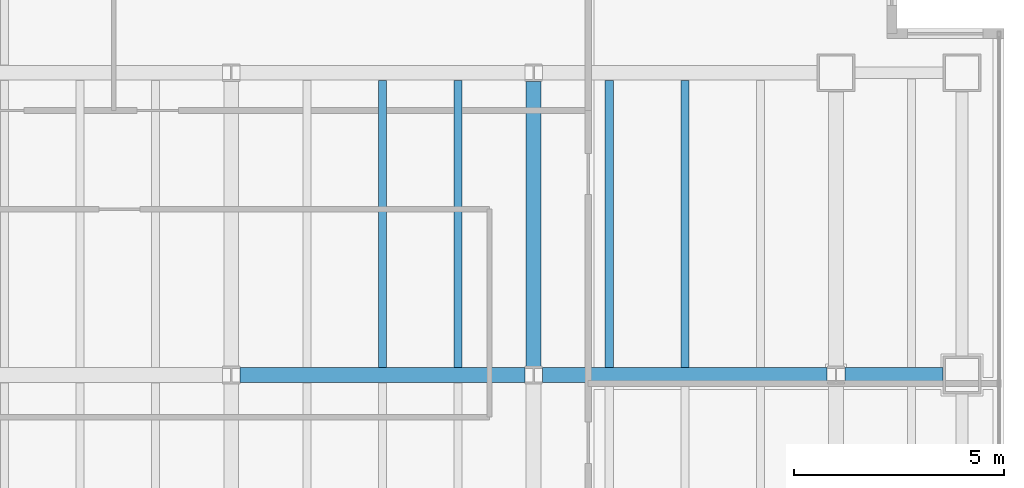
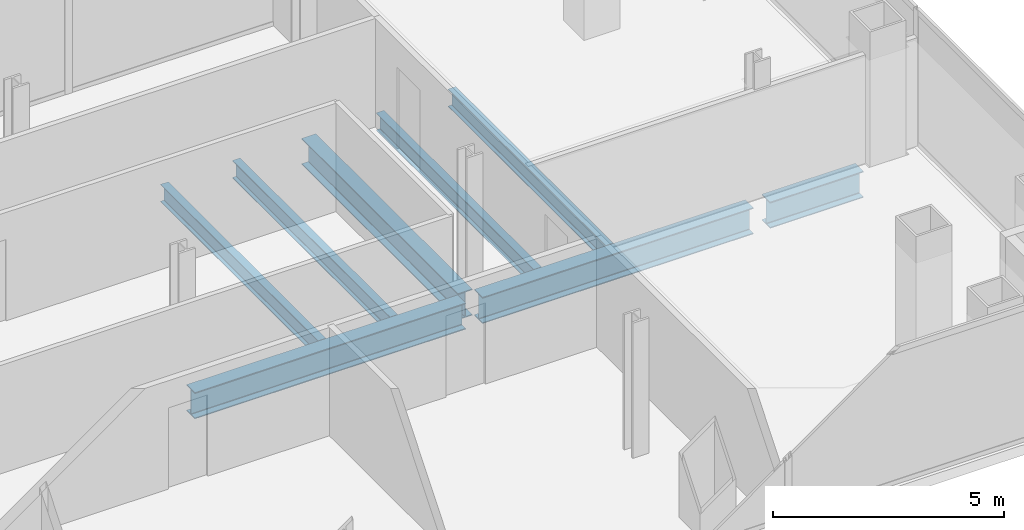
# One storey, part 12 of 23: 8 beams.
"""IFC4 building model written with IfcOpenShell, lengths in metres."""

from ifc_helpers import new_model, si_unit, direction, frame, origin, origin_2d, place, context, subcontext, project, spatial, i_section, extrude, material, material_profile, profile_set, type_object, element, save


model = new_model("IFC4")

# Units and contexts
model_context = context("Model", 3, precision=1e-05, world=origin(), true_north=direction((0.0, 1.0)))
body_context = subcontext(model_context, "Body", "Model", "MODEL_VIEW")
ifc_project = project(units=[si_unit("LENGTHUNIT", "METRE"), si_unit("AREAUNIT", "SQUARE_METRE"), si_unit("VOLUMEUNIT", "CUBIC_METRE"), si_unit("PLANEANGLEUNIT", "RADIAN"), si_unit("MASSUNIT", "GRAM", prefix="KILO")], contexts=[model_context])

# Site, building, storey
site_placement = place(None, origin())
site = spatial("IfcSite", under=ifc_project, at=site_placement, CompositionType="ELEMENT")
building_placement = place(site_placement, origin())
building = spatial("IfcBuilding", under=site, at=building_placement, Name="Cobrela Telecom Tower", CompositionType="ELEMENT")
storey_placement = place(building_placement, frame((0.0, 0.0, 129.14990234375)))
storey = spatial("IfcBuildingStorey", under=building, at=storey_placement, Name="L32", CompositionType="ELEMENT", Elevation=129.14990234375)

# Beams
ifc_material = material(Name="Steel ASTM A992 Grade 50", Category="steel")
ifc_material_profile_1 = material_profile(ifc_material, i_section(OverallWidth=0.35595703125, OverallDepth=0.696044921875, WebThickness=0.015380859375, FlangeThickness=0.024658203125, FilletRadius=0.01806640625, at=origin_2d()), Name="W27X146")
ifc_profile_set_1 = profile_set([ifc_material_profile_1], Name="Steel ASTM A992 Grade 50")
beam_type_1 = type_object("IfcBeamType", Name="BM-GIRD-05", PredefinedType="USERDEFINED", material=ifc_profile_set_1)
for number, where, z_axis, x_axis, name in (
    (1, (29.009521484375, 14.39990234375, -0.617919921875), (1.0, 0.0, 0.0), (0.0, 1.0, 0.0), "L32 Primary Girder X15"),
    (2, (36.20947265625, 14.39990234375, -0.617919921875), (1.0, 0.0, 0.0), (0.0, 1.0, 0.0), "L32 Primary Girder X16"),
):
    element("IfcBeam", number, at=place(storey_placement, frame(where, z_axis=z_axis, x_axis=x_axis)), inside=storey, type_object=beam_type_1, Name=name, ObjectType="GIRDER", PredefinedType="USERDEFINED", context=body_context, shape_type="SweptSolid", body=[
        extrude(i_section(OverallWidth=0.35595703125, OverallDepth=0.696044921875, WebThickness=0.015380859375, FlangeThickness=0.024658203125, FilletRadius=0.01806640625, at=origin_2d()), origin(), (0.0, 0.0, 1.0), 6.781005859375),
    ])
beam_1_placement = place(storey_placement, frame((43.409423828125, 14.39990234375, -0.617919921875), z_axis=(1.0, 0.0, 0.0), x_axis=(0.0, 1.0, 0.0)))
element("IfcBeam", 3, at=beam_1_placement, inside=storey, type_object=beam_type_1, Name="L32 Primary Girder X17", ObjectType="GIRDER", PredefinedType="USERDEFINED", context=body_context, shape_type="SweptSolid", body=[
    extrude(i_section(OverallWidth=0.35595703125, OverallDepth=0.696044921875, WebThickness=0.015380859375, FlangeThickness=0.024658203125, FilletRadius=0.01806640625, at=origin_2d()), origin(), (0.0, 0.0, 1.0), 2.335693359375),
])
beam_2_placement = place(storey_placement, frame((36.0, 14.609619140625, -0.617919921875), z_axis=(0.0, 1.0, 0.0), x_axis=(-1.0, 0.0, 0.0)))
element("IfcBeam", 4, at=beam_2_placement, inside=storey, type_object=beam_type_1, Name="L32 Primary Girder Y51", ObjectType="GIRDER", PredefinedType="USERDEFINED", context=body_context, shape_type="SweptSolid", body=[
    extrude(i_section(OverallWidth=0.35595703125, OverallDepth=0.696044921875, WebThickness=0.015380859375, FlangeThickness=0.024658203125, FilletRadius=0.01806640625, at=origin_2d()), origin(), (0.0, 0.0, 1.0), 6.78076171875),
])
ifc_material_profile_2 = material_profile(ifc_material, i_section(OverallWidth=0.193115234375, OverallDepth=0.467041015625, WebThickness=0.011474609375, FlangeThickness=0.01904296875, FilletRadius=0.012939453125, at=origin_2d()), Name="W18X65")
ifc_profile_set_2 = profile_set([ifc_material_profile_2], Name="Steel ASTM A992 Grade 50")
beam_type_2 = type_object("IfcBeamType", Name="BM-JOIST-03", PredefinedType="JOIST", material=ifc_profile_set_2)
for number, where, z_axis, x_axis, name in (
    (5, (32.39990234375, 14.5830078125, -0.50341796875), (0.0, 1.0, 0.0), (-1.0, 0.0, 0.0), "L32 Secondary Composite Floor Beam J30"),
    (6, (34.199951171875, 14.5830078125, -0.50341796875), (0.0, 1.0, 0.0), (-1.0, 0.0, 0.0), "L32 Secondary Composite Floor Beam J32"),
    (7, (37.800048828125, 14.5830078125, -0.50341796875), (0.0, 1.0, 0.0), (-1.0, 0.0, 0.0), "L32 Secondary Composite Floor Beam J34"),
    (8, (39.60009765625, 14.5830078125, -0.50341796875), (0.0, 1.0, 0.0), (-1.0, 0.0, 0.0), "L32 Secondary Composite Floor Beam J36"),
):
    element("IfcBeam", number, at=place(storey_placement, frame(where, z_axis=z_axis, x_axis=x_axis)), inside=storey, type_object=beam_type_2, Name=name, PredefinedType="JOIST", context=body_context, shape_type="SweptSolid", body=[
        extrude(i_section(OverallWidth=0.193115234375, OverallDepth=0.467041015625, WebThickness=0.011474609375, FlangeThickness=0.01904296875, FilletRadius=0.012939453125, at=origin_2d()), origin(), (0.0, 0.0, 1.0), 6.833984375),
    ])

save(model, "model.ifc")
